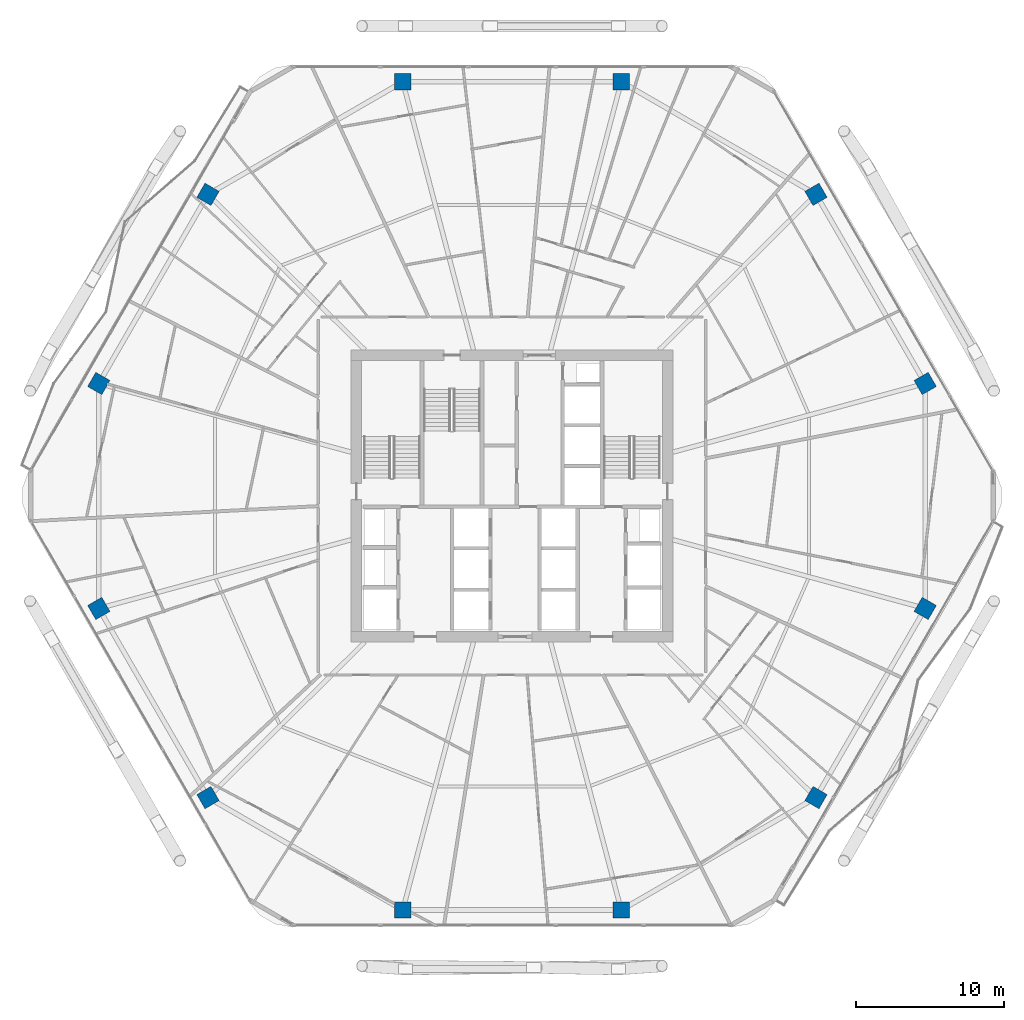
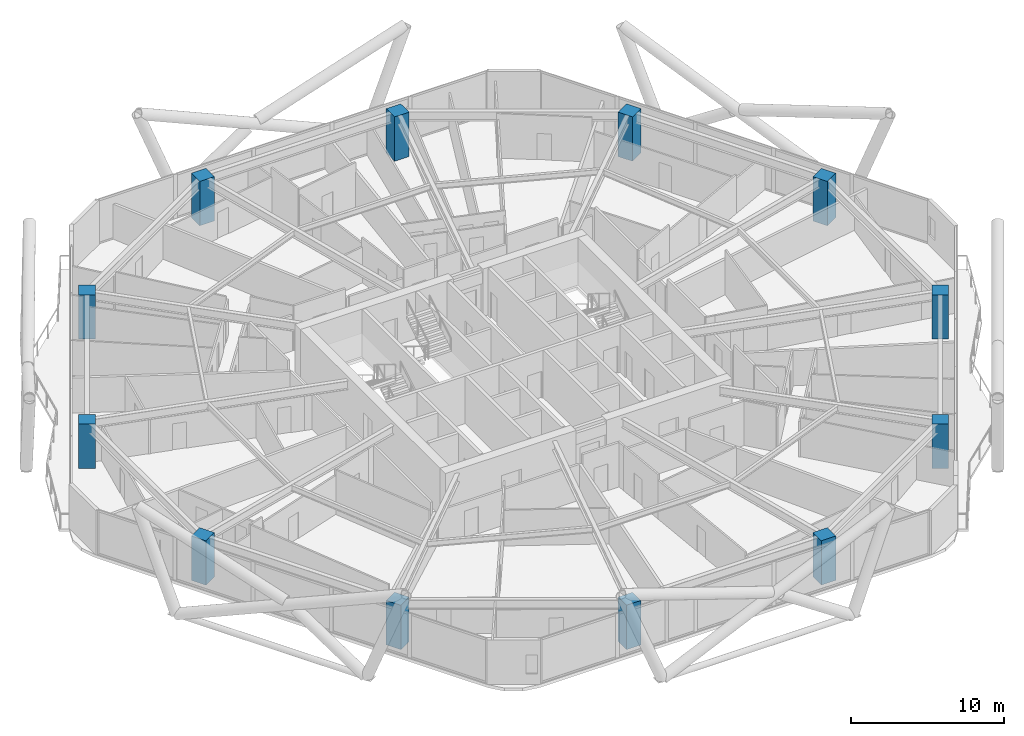
# One storey, part 1 of 34: 12 columns.
"""IFC4 building model written with IfcOpenShell, lengths in metres."""

from ifc_helpers import new_model, si_unit, direction, frame, origin, origin_2d, place, context, subcontext, project, spatial, rectangle, extrude, material, material_profile, profile_set, type_object, element, save


model = new_model("IFC4")

# Units and contexts
model_context = context("Model", 3, precision=1e-05, world=origin(), true_north=direction((0.0, 1.0)))
body_context = subcontext(model_context, "Body", "Model", "MODEL_VIEW")
ifc_project = project(units=[si_unit("LENGTHUNIT", "METRE"), si_unit("AREAUNIT", "SQUARE_METRE"), si_unit("VOLUMEUNIT", "CUBIC_METRE"), si_unit("PLANEANGLEUNIT", "RADIAN"), si_unit("MASSUNIT", "GRAM", prefix="KILO")], contexts=[model_context])

# Site, building, storey
site_placement = place(None, origin())
site = spatial("IfcSite", under=ifc_project, at=site_placement, CompositionType="ELEMENT")
building_placement = place(site_placement, origin())
building = spatial("IfcBuilding", under=site, at=building_placement, Name="Zuhravey Tower", CompositionType="ELEMENT")
storey_placement = place(building_placement, frame((0.0, 0.0, 130.39990234375)))
storey = spatial("IfcBuildingStorey", under=building, at=storey_placement, Name="L32", CompositionType="ELEMENT", Elevation=130.39990234375)

# Columns
ifc_material = material(Name="Concrete C60/75", Category="concrete")
ifc_material_profile = material_profile(ifc_material, rectangle(XDim=1.10009765625, YDim=1.10009765625, at=origin_2d()), Name="RC-1100x1100")
ifc_profile_set = profile_set([ifc_material_profile], Name="Concrete C60/75")
column_type = type_object("IfcColumnType", Name="Zone 1 Upper Column 1100x1100", PredefinedType="COLUMN", material=ifc_profile_set)
for number, where, z_axis, x_axis, name in (
    (1, (63.88916015625, 39.591552734375, 0.0), (0.0, 0.0, 1.0), (-0.5, 0.866025403784, 0.0), "L32 Perimeter Column PC01"),
    (2, (56.51904296875, 52.35693359375, 0.0), (0.0, 0.0, 1.0), (-0.5, 0.866025403784, 0.0), "L32 Perimeter Column PC02"),
    (3, (43.3701171875, 59.948486328125, 0.0), (0.0, 0.0, 1.0), (-1.0, 0.0, 0.0), "L32 Perimeter Column PC03"),
    (4, (28.6298828125, 59.948486328125, 0.0), (0.0, 0.0, 1.0), (-1.0, 0.0, 0.0), "L32 Perimeter Column PC04"),
    (5, (15.48095703125, 52.35693359375, 0.0), (0.0, 0.0, 1.0), (-0.5, -0.866025403784, 0.0), "L32 Perimeter Column PC05"),
    (6, (8.11083984375, 39.591552734375, 0.0), (0.0, 0.0, 1.0), (-0.5, -0.866025403784, 0.0), "L32 Perimeter Column PC06"),
    (7, (8.11083984375, 24.408447265625, 0.0), (0.0, 0.0, 1.0), (0.5, -0.866025403784, 0.0), "L32 Perimeter Column PC07"),
    (8, (15.48095703125, 11.64306640625, 0.0), (0.0, 0.0, 1.0), (0.5, -0.866025403784, 0.0), "L32 Perimeter Column PC08"),
    (9, (28.6298828125, 4.051513671875, 0.0), (0.0, 0.0, 1.0), (1.0, 0.0, 0.0), "L32 Perimeter Column PC09"),
    (10, (43.3701171875, 4.051513671875, 0.0), (0.0, 0.0, 1.0), (1.0, 0.0, 0.0), "L32 Perimeter Column PC10"),
    (11, (56.51904296875, 11.64306640625, 0.0), (0.0, 0.0, 1.0), (0.5, 0.866025403784, 0.0), "L32 Perimeter Column PC11"),
    (12, (63.88916015625, 24.408447265625, 0.0), (0.0, 0.0, 1.0), (0.5, 0.866025403784, 0.0), "L32 Perimeter Column PC12"),
):
    element("IfcColumn", number, at=place(storey_placement, frame(where, z_axis=z_axis, x_axis=x_axis)), inside=storey, type_object=column_type, Name=name, PredefinedType="COLUMN", context=body_context, shape_type="SweptSolid", body=[
        extrude(rectangle(XDim=1.10009765625, YDim=1.10009765625, at=origin_2d()), origin(), (0.0, 0.0, 1.0), 3.550048828125),
    ])

save(model, "model.ifc")
